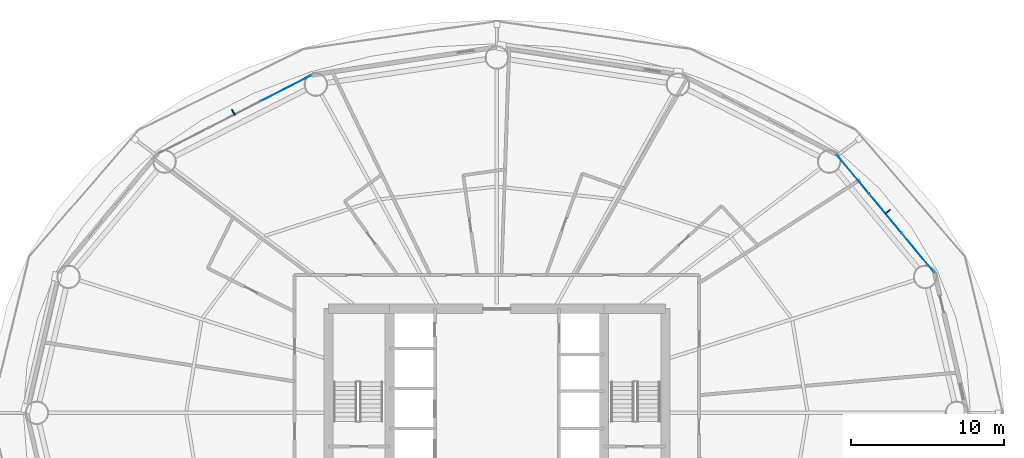
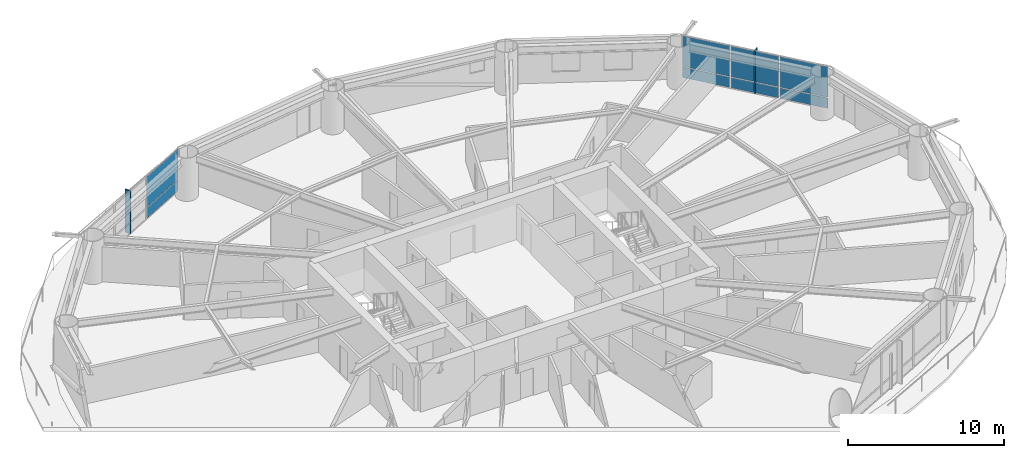
# One storey, part 20 of 28: 10 plates, 2 elements without a shape of their own.
"""IFC4 building model written with IfcOpenShell, lengths in metres."""

from ifc_helpers import new_model, si_unit, direction, frame, origin, origin_2d, place, context, subcontext, project, spatial, rectangle, extrude, material, layer, layer_set, type_object, element, aggregate, save


model = new_model("IFC4")

# Units and contexts
model_context = context("Model", 3, precision=1e-05, world=origin(), true_north=direction((0.0, 1.0)))
body_context = subcontext(model_context, "Body", "Model", "MODEL_VIEW")
ifc_project = project(units=[si_unit("LENGTHUNIT", "METRE"), si_unit("AREAUNIT", "SQUARE_METRE"), si_unit("VOLUMEUNIT", "CUBIC_METRE"), si_unit("PLANEANGLEUNIT", "RADIAN"), si_unit("MASSUNIT", "GRAM", prefix="KILO")], contexts=[model_context])

# Site, building, storey
site_placement = place(None, origin())
site = spatial("IfcSite", under=ifc_project, at=site_placement, CompositionType="ELEMENT")
building_placement = place(site_placement, origin())
building = spatial("IfcBuilding", under=site, at=building_placement, Name="Sarneth Arch Tower", CompositionType="ELEMENT")
storey_placement = place(building_placement, frame((0.0, 0.0, 31.800048828125)))
storey = spatial("IfcBuildingStorey", under=building, at=storey_placement, Name="L06", CompositionType="ELEMENT", Elevation=31.800048828125)

# Curtain wall, plates
ifc_material_1 = material(Name="Anodised aluminium Type AA25 and solar-control low-e laminated IGU", Category="aluminium")
ifc_layer_1 = layer(ifc_material_1, 0.159912109375)
ifc_layer_set_1 = layer_set([ifc_layer_1], Name="Anodised aluminium Type AA25 and solar-control low-e laminated IGU")
curtain_wall_type = type_object("IfcCurtainWallType", Name="CW-HOTEL-LOW", PredefinedType="NOTDEFINED", material=ifc_layer_set_1)
curtain_wall_1_placement = place(storey_placement, origin())
curtain_wall_1 = element("IfcCurtainWall", 1, at=curtain_wall_1_placement, inside=storey, type_object=curtain_wall_type, Name="L06 Unitised curtain wall facet 02", PredefinedType="NOTDEFINED")
ifc_material_2 = material(Name="Solar-control low-e laminated IGU", Category="glass")
ifc_layer_2 = layer(ifc_material_2, 0.028076171875)
ifc_layer_set_2 = layer_set([ifc_layer_2], Name="Solar-control low-e laminated IGU")
plate_type_1 = type_object("IfcPlateType", Name="CW-PANEL", PredefinedType="CURTAIN_PANEL", material=ifc_layer_set_2)
plate_1_placement = place(storey_placement, frame((75.503662109375, 52.441162109375, 0.059814453125), z_axis=(0.0, 0.0, 1.0), x_axis=(-0.637291340827, 0.770622960278, 0.0)))
plate_1 = element("IfcPlate", 2, at=plate_1_placement, type_object=plate_type_1, Name="Curtain wall glazed vision pane CW-L06-F02/P00-00", PredefinedType="CURTAIN_PANEL", context=body_context, shape_type="SweptSolid", body=[
    extrude(rectangle(XDim=3.260986328125, YDim=0.028076171875, at=origin_2d()), origin(), (0.0, 0.0, 1.0), 0.81005859375),
])
plate_2_placement = place(storey_placement, frame((75.503662109375, 52.441162109375, 0.93017578125), z_axis=(0.0, 0.0, 1.0), x_axis=(-0.637291340827, 0.770622960278, 0.0)))
plate_2 = element("IfcPlate", 3, at=plate_2_placement, type_object=plate_type_1, Name="Curtain wall glazed vision pane CW-L06-F02/P00-01", PredefinedType="CURTAIN_PANEL", context=body_context, shape_type="SweptSolid", body=[
    extrude(rectangle(XDim=3.260986328125, YDim=0.028076171875, at=origin_2d()), origin(), (0.0, 0.0, 1.0), 2.389892578125),
])
plate_3_placement = place(storey_placement, frame((73.37744140625, 55.01220703125, 0.059814453125), z_axis=(0.0, 0.0, 1.0), x_axis=(-0.637291340827, 0.770622960278, 0.0)))
plate_3 = element("IfcPlate", 4, at=plate_3_placement, type_object=plate_type_1, Name="Curtain wall glazed vision pane CW-L06-F02/P01-00", PredefinedType="CURTAIN_PANEL", context=body_context, shape_type="SweptSolid", body=[
    extrude(rectangle(XDim=3.291015625, YDim=0.028076171875, at=origin_2d()), origin(), (0.0, 0.0, 1.0), 0.81005859375),
])
plate_4_placement = place(storey_placement, frame((73.37744140625, 55.01220703125, 0.93017578125), z_axis=(0.0, 0.0, 1.0), x_axis=(-0.637291340827, 0.770622960278, 0.0)))
plate_4 = element("IfcPlate", 5, at=plate_4_placement, type_object=plate_type_1, Name="Curtain wall glazed vision pane CW-L06-F02/P01-01", PredefinedType="CURTAIN_PANEL", context=body_context, shape_type="SweptSolid", body=[
    extrude(rectangle(XDim=3.291015625, YDim=0.028076171875, at=origin_2d()), origin(), (0.0, 0.0, 1.0), 2.389892578125),
])
plate_5_placement = place(storey_placement, frame((71.25146484375, 57.5830078125, 0.059814453125), z_axis=(0.0, 0.0, 1.0), x_axis=(-0.637291340827, 0.770622960278, 0.0)))
plate_5 = element("IfcPlate", 6, at=plate_5_placement, type_object=plate_type_1, Name="Curtain wall glazed vision pane CW-L06-F02/P02-00", PredefinedType="CURTAIN_PANEL", context=body_context, shape_type="SweptSolid", body=[
    extrude(rectangle(XDim=3.260986328125, YDim=0.028076171875, at=origin_2d()), origin(), (0.0, 0.0, 1.0), 0.81005859375),
])
plate_6_placement = place(storey_placement, frame((71.25146484375, 57.5830078125, 0.93017578125), z_axis=(0.0, 0.0, 1.0), x_axis=(-0.637291340827, 0.770622960278, 0.0)))
plate_6 = element("IfcPlate", 7, at=plate_6_placement, type_object=plate_type_1, Name="Curtain wall glazed vision pane CW-L06-F02/P02-01", PredefinedType="CURTAIN_PANEL", context=body_context, shape_type="SweptSolid", body=[
    extrude(rectangle(XDim=3.260986328125, YDim=0.028076171875, at=origin_2d()), origin(), (0.0, 0.0, 1.0), 2.389892578125),
])
aggregate(curtain_wall_1, [plate_1, plate_2, plate_3, plate_4, plate_5, plate_6])

curtain_wall_2_placement = place(storey_placement, origin())
curtain_wall_2 = element("IfcCurtainWall", 8, at=curtain_wall_2_placement, inside=storey, type_object=curtain_wall_type, Name="L06 Unitised curtain wall facet 06", PredefinedType="NOTDEFINED")
plate_7_placement = place(storey_placement, frame((34.22607421875, 63.192626953125, 0.059814453125), z_axis=(0.0, 0.0, 1.0), x_axis=(-0.889854100456, -0.456245197127, 0.0)))
plate_7 = element("IfcPlate", 9, at=plate_7_placement, type_object=plate_type_1, Name="Curtain wall glazed vision pane CW-L06-F06/P00-00", PredefinedType="CURTAIN_PANEL", context=body_context, shape_type="SweptSolid", body=[
    extrude(rectangle(XDim=3.69189453125, YDim=0.028076171875, at=origin_2d()), origin(), (0.0, 0.0, 1.0), 0.81005859375),
])
plate_8_placement = place(storey_placement, frame((34.22607421875, 63.192626953125, 0.93017578125), z_axis=(0.0, 0.0, 1.0), x_axis=(-0.889854100456, -0.456245197127, 0.0)))
plate_8 = element("IfcPlate", 10, at=plate_8_placement, type_object=plate_type_1, Name="Curtain wall glazed vision pane CW-L06-F06/P00-01", PredefinedType="CURTAIN_PANEL", context=body_context, shape_type="SweptSolid", body=[
    extrude(rectangle(XDim=3.69189453125, YDim=0.028076171875, at=origin_2d()), origin(), (0.0, 0.0, 1.0), 2.389892578125),
])
aggregate(curtain_wall_2, [plate_7, plate_8])

# Plates
ifc_material_3 = material(Name="Extruded glazed terracotta baguette fin on Aluminium 6063-T6 carrier", Category="masonry")
ifc_layer_3 = layer(ifc_material_3, 0.080078125)
ifc_layer_set_3 = layer_set([ifc_layer_3], Name="Extruded glazed terracotta baguette fin on Aluminium 6063-T6 carrier")
plate_type_2 = type_object("IfcPlateType", Name="SHADE-TERRA-FIN", PredefinedType="SHEET", material=ifc_layer_set_3)
for number, where, z_axis, x_axis, name in (
    (11, (73.508544921875, 55.120361328125, 0.009765625), (0.0, 0.0, 1.0), (0.770624482513, 0.637289500111, 0.0), "L06 Terracotta vertical shading fin 02"),
    (12, (30.79638671875, 61.625244140625, 0.009765625), (0.0, 0.0, 1.0), (-0.4563215909, 0.889814927768, 0.0), "L06 Terracotta vertical shading fin 06"),
):
    element("IfcPlate", number, at=place(storey_placement, frame(where, z_axis=z_axis, x_axis=x_axis)), inside=storey, type_object=plate_type_2, Name=name, PredefinedType="SHEET", context=body_context, shape_type="SweptSolid", body=[
        extrude(rectangle(XDim=0.419921875, YDim=0.080078125, at=origin_2d()), origin(), (0.0, 0.0, 1.0), 3.360107421875),
    ])

save(model, "model.ifc")
